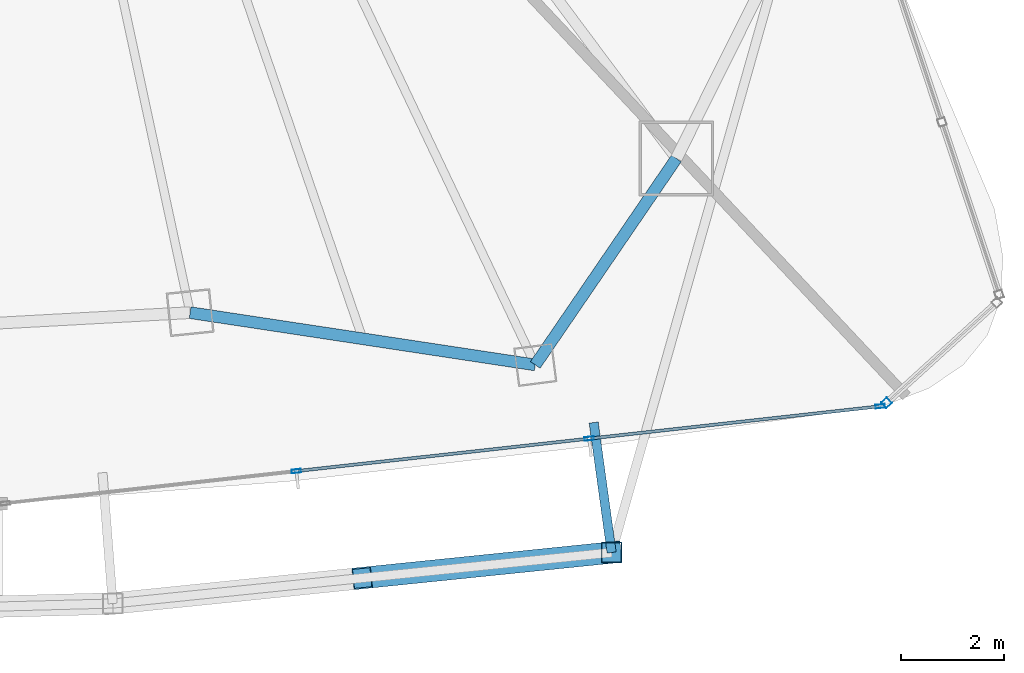
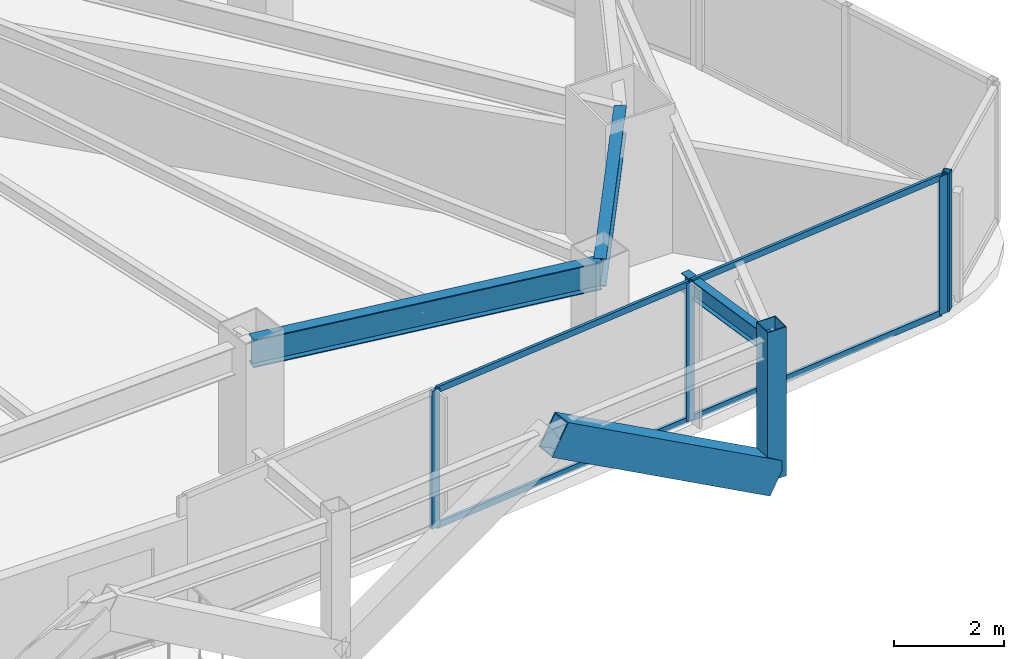
# One storey, part 14 of 31: 10 members, 3 beams, 2 elements without a shape of their own.
"""IFC4 building model written with IfcOpenShell, lengths in metres."""

from ifc_helpers import new_model, si_unit, direction, frame, origin, origin_2d, place, context, subcontext, project, spatial, hollow_rectangle, i_section, extrude, material, layer, layer_set, material_profile, profile_set, type_object, element, aggregate, save


model = new_model("IFC4")

# Units and contexts
model_context = context("Model", 3, precision=1e-05, world=origin(), true_north=direction((0.0, 1.0)))
body_context = subcontext(model_context, "Body", "Model", "MODEL_VIEW")
ifc_project = project(units=[si_unit("LENGTHUNIT", "METRE"), si_unit("AREAUNIT", "SQUARE_METRE"), si_unit("VOLUMEUNIT", "CUBIC_METRE"), si_unit("PLANEANGLEUNIT", "RADIAN"), si_unit("MASSUNIT", "GRAM", prefix="KILO")], contexts=[model_context])

# Site, building, storey
site_placement = place(None, origin())
site = spatial("IfcSite", under=ifc_project, at=site_placement, CompositionType="ELEMENT")
building_placement = place(site_placement, origin())
building = spatial("IfcBuilding", under=site, at=building_placement, Name="Orvanel Arch Residences", CompositionType="ELEMENT")
storey_placement = place(building_placement, frame((0.0, 0.0, 150.64990234375)))
storey = spatial("IfcBuildingStorey", under=building, at=storey_placement, Name="L42", CompositionType="ELEMENT", Elevation=150.64990234375)

# Member
ifc_material_1 = material(Name="Structural steel AS/NZS 3678 Grade 350", Category="steel")
ifc_material_profile_1 = material_profile(ifc_material_1, hollow_rectangle(XDim=0.419921875, YDim=0.719970703125, WallThickness=0.02490234375, at=origin_2d()), Name="RHS720x420x25")
ifc_profile_set_1 = profile_set([ifc_material_profile_1], Name="Structural steel AS/NZS 3678 Grade 350")
member_type_1 = type_object("IfcMemberType", Name="BR-720RHS-EXT", PredefinedType="BRACE", material=ifc_profile_set_1)
member_1_placement = place(storey_placement, frame((50.54296875, 2.693115234375, 0.0), z_axis=(-0.858180490388, -0.087819043988, 0.505780645567), x_axis=(0.101800046206, -0.994804880664, 0.0)))
element("IfcMember", 1, at=member_1_placement, inside=storey, type_object=member_type_1, Name="L42 Exterior Sky-Garden V-Frame Chevron F2B3.2", PredefinedType="BRACE", context=body_context, shape_type="SweptSolid", body=[
    extrude(hollow_rectangle(XDim=0.419921875, YDim=0.719970703125, WallThickness=0.02490234375, at=origin_2d()), origin(), (0.0, 0.0, 1.0), 5.64892578125),
])

# Curtain wall, member
ifc_material_2 = material(Name="Bronze-anodised aluminium AA6063-T6", Category="aluminium")
ifc_layer_1 = layer(ifc_material_2, 0.18994140625)
ifc_layer_set_1 = layer_set([ifc_layer_1], Name="Bronze-anodised aluminium AA6063-T6")
curtain_wall_type_1 = type_object("IfcCurtainWallType", Name="CW5-CRN-SYS", PredefinedType="NOTDEFINED", material=ifc_layer_set_1)
curtain_wall_1_placement = place(storey_placement, origin())
curtain_wall_1 = element("IfcCurtainWall", 2, at=curtain_wall_1_placement, inside=storey, type_object=curtain_wall_type_1, Name="L42 CW5-CRN-SYS Unitised Curtain Wall", PredefinedType="NOTDEFINED")
ifc_material_profile_2 = material_profile(ifc_material_2, hollow_rectangle(XDim=0.14990234375, YDim=0.14990234375, WallThickness=0.0048828125, at=origin_2d()), Name="ALU150x150x5")
ifc_profile_set_2 = profile_set([ifc_material_profile_2], Name="Bronze-anodised aluminium AA6063-T6")
member_type_2 = type_object("IfcMemberType", Name="MUL-150x150", PredefinedType="MULLION", material=ifc_profile_set_2)
member_2_placement = place(storey_placement, frame((55.887451171875, 5.6044921875, 0.0), z_axis=(0.0, 0.0, 1.0), x_axis=(-0.672329748621, 0.740251787651, 0.0)))
member_2 = element("IfcMember", 3, at=member_2_placement, type_object=member_type_2, Name="CW-S5 mullion 1", PredefinedType="MULLION", context=body_context, shape_type="SweptSolid", body=[
    extrude(hollow_rectangle(XDim=0.14990234375, YDim=0.14990234375, WallThickness=0.0048828125, at=origin_2d()), origin(), (0.0, 0.0, 1.0), 3.06005859375),
])
aggregate(curtain_wall_1, [member_2])

# Curtain wall, members
ifc_layer_2 = layer(ifc_material_2, 0.179931640625)
ifc_layer_set_2 = layer_set([ifc_layer_2], Name="Bronze-anodised aluminium AA6063-T6")
curtain_wall_type_2 = type_object("IfcCurtainWallType", Name="CW3-MID-SYS", PredefinedType="NOTDEFINED", material=ifc_layer_set_2)
curtain_wall_2_placement = place(storey_placement, origin())
curtain_wall_2 = element("IfcCurtainWall", 4, at=curtain_wall_2_placement, inside=storey, type_object=curtain_wall_type_2, Name="L42 CW3-MID-SYS Unitised Curtain Wall", PredefinedType="NOTDEFINED")
ifc_material_profile_3 = material_profile(ifc_material_2, hollow_rectangle(XDim=0.070068359375, YDim=0.179931640625, WallThickness=0.00439453125, at=origin_2d()), Name="ALU180x70x4.5")
ifc_profile_set_3 = profile_set([ifc_material_profile_3], Name="Bronze-anodised aluminium AA6063-T6")
member_type_3 = type_object("IfcMemberType", Name="MUL-180x70", PredefinedType="MULLION", material=ifc_profile_set_3)
member_3_placement = place(storey_placement, frame((44.4150390625, 4.27490234375, 0.0), z_axis=(0.0, 0.0, 1.0), x_axis=(-0.110374021666, 0.993890122368, 0.0)))
member_3 = element("IfcMember", 5, at=member_3_placement, type_object=member_type_3, Name="CW-S3 mullion 2", PredefinedType="MULLION", context=body_context, shape_type="SweptSolid", body=[
    extrude(hollow_rectangle(XDim=0.070068359375, YDim=0.179931640625, WallThickness=0.00439453125, at=origin_2d()), origin(), (0.0, 0.0, 1.0), 3.06005859375),
])
member_4_placement = place(storey_placement, frame((50.10595703125, 4.906982421875, 0.0), z_axis=(0.0, 0.0, 1.0), x_axis=(-0.110374021666, 0.993890122368, 0.0)))
member_4 = element("IfcMember", 6, at=member_4_placement, type_object=member_type_3, Name="CW-S3 mullion 3", PredefinedType="MULLION", context=body_context, shape_type="SweptSolid", body=[
    extrude(hollow_rectangle(XDim=0.070068359375, YDim=0.179931640625, WallThickness=0.00439453125, at=origin_2d()), origin(), (0.0, 0.0, 1.0), 3.06005859375),
])
member_5_placement = place(storey_placement, frame((55.76220703125, 5.53515625, 0.0), z_axis=(0.0, 0.0, 1.0), x_axis=(-0.110374021666, 0.993890122368, 0.0)))
member_5 = element("IfcMember", 7, at=member_5_placement, type_object=member_type_3, Name="CW-S3 mullion 4", PredefinedType="MULLION", context=body_context, shape_type="SweptSolid", body=[
    extrude(hollow_rectangle(XDim=0.070068359375, YDim=0.179931640625, WallThickness=0.00439453125, at=origin_2d()), origin(), (0.0, 0.0, 1.0), 3.06005859375),
])

# Beams
ifc_material_3 = material(Name="Structural steel AS/NZS 3679.1 Grade 300 (300 MPa)", Category="steel")
ifc_material_profile_4 = material_profile(ifc_material_3, i_section(OverallWidth=0.177978515625, OverallDepth=0.406005859375, WebThickness=0.0078125, FlangeThickness=0.0126953125, at=origin_2d()), Name="410UB59.7")
ifc_profile_set_4 = profile_set([ifc_material_profile_4], Name="Structural steel AS/NZS 3679.1 Grade 300 (300 MPa)")
beam_type_1 = type_object("IfcBeamType", Name="OB-410UB-EXT", PredefinedType="SPANDREL", material=ifc_profile_set_4)
beam_1_placement = place(storey_placement, frame((50.194091796875, 5.218994140625, 2.857177734375), z_axis=(0.136822073106, -0.990595639154, 0.0), x_axis=(0.990595639154, 0.136822073106, 0.0)))
element("IfcBeam", 8, at=beam_1_placement, inside=storey, type_object=beam_type_1, Name="L42 Outer Frame Radial Tie Beam 08", PredefinedType="SPANDREL", context=body_context, shape_type="SweptSolid", body=[
    extrude(i_section(OverallWidth=0.177978515625, OverallDepth=0.406005859375, WebThickness=0.0078125, FlangeThickness=0.0126953125, at=origin_2d()), origin(), (0.0, 0.0, 1.0), 2.5498046875),
])
ifc_material_profile_5 = material_profile(ifc_material_3, i_section(OverallWidth=0.22900390625, OverallDepth=0.612060546875, WebThickness=0.011962890625, FlangeThickness=0.01953125, at=origin_2d()), Name="610UB125")
ifc_profile_set_5 = profile_set([ifc_material_profile_5], Name="Structural steel AS/NZS 3679.1 Grade 300 (300 MPa)")
beam_type_2 = type_object("IfcBeamType", Name="SP-610UB", PredefinedType="SPANDREL", material=ifc_profile_set_5)
beam_2_placement = place(storey_placement, frame((42.35107421875, 7.35498046875, 2.754150390625), z_axis=(0.988726323014, -0.149733958002, 0.0), x_axis=(0.149733958002, 0.988726323014, 0.0)))
element("IfcBeam", 9, at=beam_2_placement, inside=storey, type_object=beam_type_2, Name="L42 Perimeter Spandrel Beam 07", PredefinedType="SPANDREL", context=body_context, shape_type="SweptSolid", body=[
    extrude(i_section(OverallWidth=0.22900390625, OverallDepth=0.612060546875, WebThickness=0.011962890625, FlangeThickness=0.01953125, at=origin_2d()), origin(), (0.0, 0.0, 1.0), 6.784423828125),
])
beam_3_placement = place(storey_placement, frame((49.05908203125, 6.339111328125, 2.754150390625), z_axis=(0.564251579852, 0.825602903722, 0.0), x_axis=(-0.825602903722, 0.564251579852, 0.0)))
element("IfcBeam", 10, at=beam_3_placement, inside=storey, type_object=beam_type_2, Name="L42 Perimeter Spandrel Beam 08", PredefinedType="SPANDREL", context=body_context, shape_type="SweptSolid", body=[
    extrude(i_section(OverallWidth=0.22900390625, OverallDepth=0.612060546875, WebThickness=0.011962890625, FlangeThickness=0.01953125, at=origin_2d()), origin(), (0.0, 0.0, 1.0), 4.859375),
])

# Member
ifc_material_4 = material(Name="Structural steel AS/NZS 1163 C450L0 (Grade 450)", Category="steel")
ifc_material_profile_6 = material_profile(ifc_material_4, hollow_rectangle(XDim=0.39990234375, YDim=0.39990234375, WallThickness=0.01611328125, at=origin_2d()), Name="SHS400x400x16")
ifc_profile_set_6 = profile_set([ifc_material_profile_6], Name="Structural steel AS/NZS 1163 C450L0 (Grade 450)")
member_type_4 = type_object("IfcMemberType", Name="ST-400SHS-EXT", PredefinedType="STRUT", material=ifc_profile_set_6)
member_6_placement = place(storey_placement, frame((50.54296875, 2.693115234375, 0.0), z_axis=(0.0, 0.0, 1.0), x_axis=(1.0, 0.0, 0.0)))
element("IfcMember", 11, at=member_6_placement, inside=storey, type_object=member_type_4, Name="L42 Outer Perimeter Frame Post 08", PredefinedType="STRUT", context=body_context, shape_type="SweptSolid", body=[
    extrude(hollow_rectangle(XDim=0.39990234375, YDim=0.39990234375, WallThickness=0.01611328125, at=origin_2d()), origin(), (0.0, 0.0, 1.0), 3.300048828125),
])

ifc_material_profile_7 = material_profile(ifc_material_2, hollow_rectangle(XDim=0.06005859375, YDim=0.135009765625, WallThickness=0.00390625, at=origin_2d()), Name="ALU135x60x4")
ifc_profile_set_7 = profile_set([ifc_material_profile_7], Name="Bronze-anodised aluminium AA6063-T6")
member_type_5 = type_object("IfcMemberType", Name="TRN-135x60", PredefinedType="USERDEFINED", material=ifc_profile_set_7)
member_7_placement = place(storey_placement, frame((44.44970703125, 4.27880859375, 0.030029296875), z_axis=(0.993890575813, 0.110369938433, 0.0), x_axis=(-0.110369938433, 0.993890575813, 0.0)))
member_7 = element("IfcMember", 12, at=member_7_placement, type_object=member_type_5, Name="CW-S3 transom 2.1", ObjectType="TRANSOM", PredefinedType="USERDEFINED", context=body_context, shape_type="SweptSolid", body=[
    extrude(hollow_rectangle(XDim=0.06005859375, YDim=0.135009765625, WallThickness=0.00390625, at=origin_2d()), origin(), (0.0, 0.0, 1.0), 5.65625),
])

member_8_placement = place(storey_placement, frame((44.44970703125, 4.27880859375, 3.030029296875), z_axis=(0.993890575813, 0.110369938433, 0.0), x_axis=(-0.110369938433, 0.993890575813, 0.0)))
member_8 = element("IfcMember", 13, at=member_8_placement, type_object=member_type_5, Name="CW-S3 transom 2.2", ObjectType="TRANSOM", PredefinedType="USERDEFINED", context=body_context, shape_type="SweptSolid", body=[
    extrude(hollow_rectangle(XDim=0.06005859375, YDim=0.135009765625, WallThickness=0.00390625, at=origin_2d()), origin(), (0.0, 0.0, 1.0), 5.65625),
])

member_9_placement = place(storey_placement, frame((50.140869140625, 4.910888671875, 0.030029296875), z_axis=(0.993891147926, 0.110364786386, 0.0), x_axis=(-0.110364786386, 0.993891147926, 0.0)))
member_9 = element("IfcMember", 14, at=member_9_placement, type_object=member_type_5, Name="CW-S3 transom 3.1", ObjectType="TRANSOM", PredefinedType="USERDEFINED", context=body_context, shape_type="SweptSolid", body=[
    extrude(hollow_rectangle(XDim=0.06005859375, YDim=0.135009765625, WallThickness=0.00390625, at=origin_2d()), origin(), (0.0, 0.0, 1.0), 5.62109375),
])

member_10_placement = place(storey_placement, frame((50.140869140625, 4.910888671875, 3.030029296875), z_axis=(0.993891147926, 0.110364786386, 0.0), x_axis=(-0.110364786386, 0.993891147926, 0.0)))
member_10 = element("IfcMember", 15, at=member_10_placement, type_object=member_type_5, Name="CW-S3 transom 3.2", ObjectType="TRANSOM", PredefinedType="USERDEFINED", context=body_context, shape_type="SweptSolid", body=[
    extrude(hollow_rectangle(XDim=0.06005859375, YDim=0.135009765625, WallThickness=0.00390625, at=origin_2d()), origin(), (0.0, 0.0, 1.0), 5.62109375),
])

aggregate(curtain_wall_2, [member_3, member_4, member_5, member_7, member_8, member_9, member_10])

save(model, "model.ifc")
